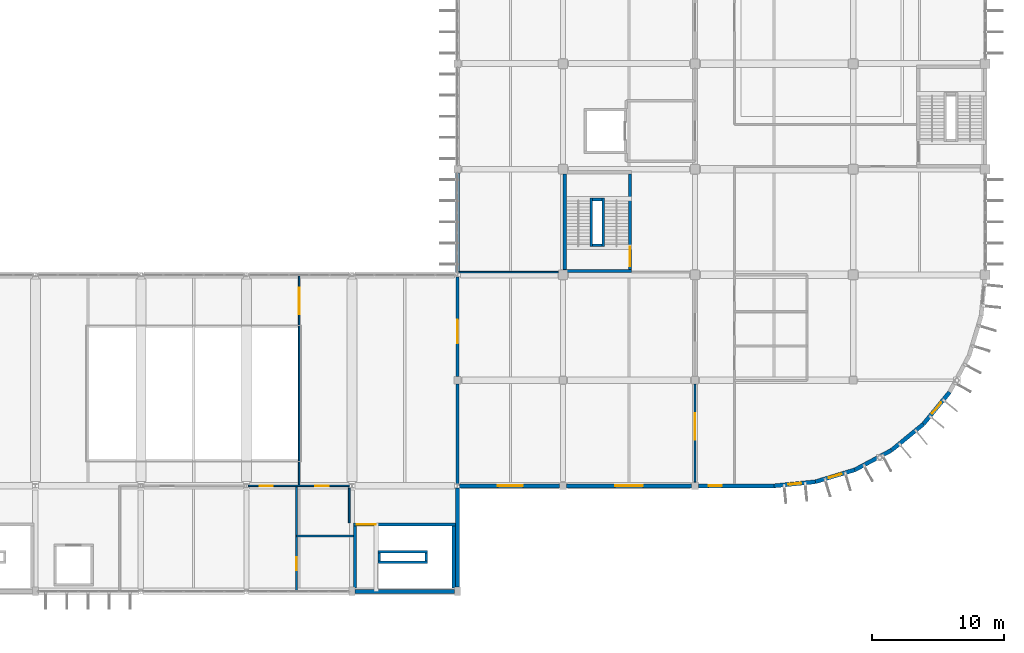
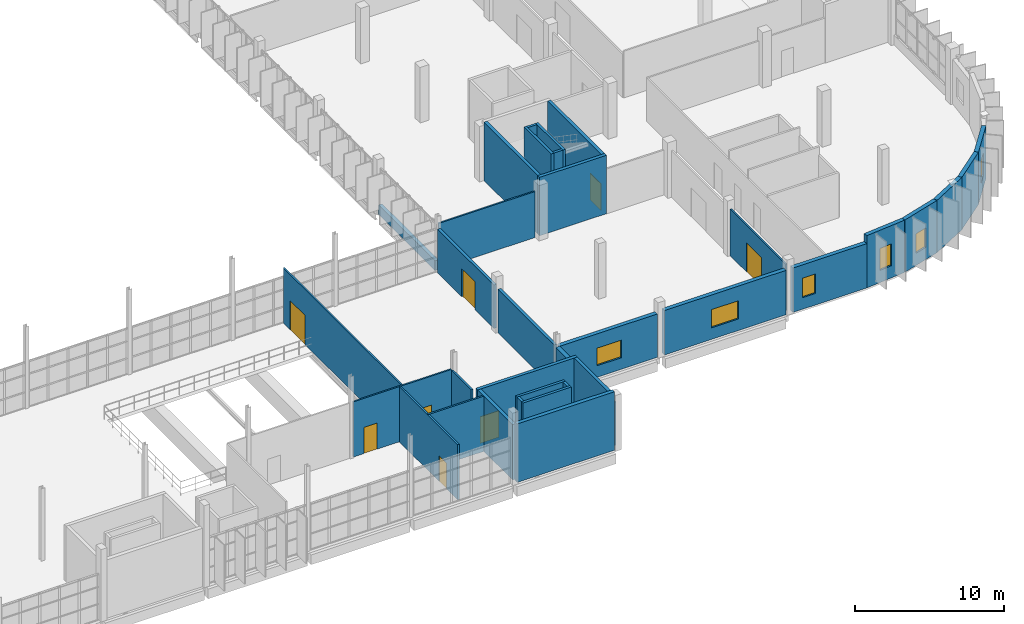
# One storey, part 73 of 93: 34 walls, 8 doors, 6 windows, 14 openings.
"""IFC4 building model written with IfcOpenShell, lengths in metres."""

from ifc_helpers import new_model, si_unit, direction, frame, frame_2d, origin, place, context, subcontext, project, spatial, rectangle, extrude, material, layer, layer_set, type_object, element, fill, save


model = new_model("IFC4")

# Units and contexts
model_context = context("Model", 3, precision=1e-05, world=origin(), true_north=direction((0.0, 1.0)))
body_context = subcontext(model_context, "Body", "Model", "MODEL_VIEW")
ifc_project = project(units=[si_unit("LENGTHUNIT", "METRE"), si_unit("AREAUNIT", "SQUARE_METRE"), si_unit("VOLUMEUNIT", "CUBIC_METRE"), si_unit("PLANEANGLEUNIT", "RADIAN"), si_unit("MASSUNIT", "GRAM", prefix="KILO")], contexts=[model_context])

# Site, building, storey
site_placement = place(None, origin())
site = spatial("IfcSite", under=ifc_project, at=site_placement, CompositionType="ELEMENT")
building_placement = place(site_placement, origin())
building = spatial("IfcBuilding", under=site, at=building_placement, Name="Drelvana Railside Aquatics Centre", CompositionType="ELEMENT")
storey_placement = place(building_placement, frame((0.0, 0.0, 5.39990234375)))
storey = spatial("IfcBuildingStorey", under=building, at=storey_placement, Name="L01", CompositionType="ELEMENT", Elevation=5.39990234375)

# Wall
ifc_material_1 = material(Name="Autoclaved aerated concrete masonry", Category="masonry")
ifc_layer_1 = layer(ifc_material_1, 0.22509765625, Name="Autoclaved aerated concrete masonry")
ifc_layer_set_1 = layer_set([ifc_layer_1], Name="Autoclaved aerated concrete masonry")
wall_type_1 = type_object("IfcWallType", Name="WL-COMP-225", PredefinedType="STANDARD", material=ifc_layer_set_1)
wall_1_placement = place(storey_placement, frame((144.0, 8.152099609375, 0.0), z_axis=(0.0, 0.0, 1.0), x_axis=(0.0, 1.0, 0.0)))
element("IfcWall", 1, at=wall_1_placement, inside=storey, type_object=wall_type_1, Name="L01 Foyer-Wing compartment wall", PredefinedType="STANDARD", context=body_context, shape_type="SweptSolid", body=[
    extrude(rectangle(XDim=7.57080078125, YDim=0.22509765625, at=frame_2d((3.785400390625, 0.0))), origin(), (0.0, 0.0, 1.0), 3.570068359375),
])

# Wall, opening, door
wall_2_placement = place(storey_placement, frame((144.0, 16.277099609375, 0.0), z_axis=(0.0, 0.0, 1.0), x_axis=(0.0, 1.0, 0.0)))
wall_2 = element("IfcWall", 2, at=wall_2_placement, inside=storey, type_object=wall_type_1, Name="L01 Foyer-Wing compartment wall", PredefinedType="STANDARD", context=body_context, shape_type="SweptSolid", body=[
    extrude(rectangle(XDim=7.57080078125, YDim=0.22509765625, at=frame_2d((3.785400390625, 0.0))), origin(), (0.0, 0.0, 1.0), 3.570068359375),
])
opening_1_placement = place(wall_2_placement, frame((2.52294921875, 0.0, 0.0)))
opening_1 = element("IfcOpeningElement", 3, at=opening_1_placement, cuts=wall_2, Name="Opening D-05-104", PredefinedType="OPENING", context=body_context, shape_type="SweptSolid", body=[
    extrude(rectangle(XDim=1.800048828125, YDim=2.300048828125, at=frame_2d((0.89990234375, 1.14990234375))), frame((0.0, 0.12255859375, 0.0), z_axis=(0.0, -1.0, 0.0), x_axis=(1.0, 0.0, 0.0)), (0.0, 0.0, 1.0), 0.2451171875),
])
ifc_material_2 = material(Name="Corridor compartment double door", Category="wood")
door_type_1 = type_object("IfcDoorType", Name="DR-INT-COMP-1800x2300", OperationType="DOUBLE_DOOR_SINGLE_SWING", PredefinedType="DOOR", material=ifc_material_2)
door_1_placement = place(opening_1_placement, origin())
door_1 = element("IfcDoor", 4, at=door_1_placement, inside=storey, type_object=door_type_1, Name="L01 Foyer to Wing link door D-05-104", OperationType="DOUBLE_DOOR_SINGLE_SWING", OverallHeight=2.300048828125, OverallWidth=1.800048828125, PredefinedType="DOOR", context=body_context, shape_type="SweptSolid", body=[
    extrude(rectangle(XDim=1.800048828125, YDim=2.300048828125, at=frame_2d((0.89990234375, 1.14990234375))), frame((0.0, 0.02490234375, 0.0), z_axis=(0.0, -1.0, 0.0), x_axis=(1.0, 0.0, 0.0)), (0.0, 0.0, 1.0), 0.050048828125),
])
fill(opening_1, door_1)

# Walls
ifc_material_3 = material(Name="Concrete C40/50", Category="concrete")
ifc_layer_2 = layer(ifc_material_3, 0.25, Name="Concrete C40/50")
ifc_layer_set_2 = layer_set([ifc_layer_2], Name="Concrete C40/50")
wall_type_2 = type_object("IfcWallType", Name="WL-CORE-250", PredefinedType="SHEAR", material=ifc_layer_set_2)
wall_3_placement = place(storey_placement, frame((152.0, 24.284912109375, 0.0), z_axis=(0.0, 0.0, 1.0), x_axis=(1.0, 0.0, 0.0)))
element("IfcWall", 5, at=wall_3_placement, inside=storey, type_object=wall_type_2, Name="Core 6 Federation Wing Court-West S core wall (L01)", PredefinedType="SHEAR", context=body_context, shape_type="SweptSolid", body=[
    extrude(rectangle(XDim=5.199951171875, YDim=0.25, at=frame_2d((2.60009765625, 0.0))), origin(), (0.0, 0.0, 1.0), 4.800048828125),
])
wall_4_placement = place(storey_placement, frame((152.125, 24.409912109375, 0.0), z_axis=(0.0, 0.0, 1.0), x_axis=(0.0, 1.0, 0.0)))
element("IfcWall", 6, at=wall_4_placement, inside=storey, type_object=wall_type_2, Name="Core 6 Federation Wing Court-West W core wall (L01)", PredefinedType="SHEAR", context=body_context, shape_type="SweptSolid", body=[
    extrude(rectangle(XDim=7.239990234375, YDim=0.25, at=frame_2d((3.6201171875, 0.0))), origin(), (0.0, 0.0, 1.0), 4.800048828125),
])

# Wall, opening, door
wall_5_placement = place(storey_placement, frame((157.074951171875, 24.409912109375, 0.0), z_axis=(0.0, 0.0, 1.0), x_axis=(0.0, 1.0, 0.0)))
wall_5 = element("IfcWall", 7, at=wall_5_placement, inside=storey, type_object=wall_type_2, Name="Core 6 Federation Wing Court-West E core wall (L01)", PredefinedType="SHEAR", context=body_context, shape_type="SweptSolid", body=[
    extrude(rectangle(XDim=7.239990234375, YDim=0.25, at=frame_2d((3.6201171875, 0.0))), origin(), (0.0, 0.0, 1.0), 4.800048828125),
])
opening_2_placement = place(wall_5_placement, frame((0.25, 0.0, 0.0)))
opening_2 = element("IfcOpeningElement", 8, at=opening_2_placement, cuts=wall_5, Name="Opening D-01-037", PredefinedType="OPENING", context=body_context, shape_type="SweptSolid", body=[
    extrude(rectangle(XDim=1.449951171875, YDim=2.199951171875, at=frame_2d((0.72509765625, 1.10009765625))), frame((0.0, 0.135009765625, 0.0), z_axis=(0.0, -1.0, 0.0), x_axis=(1.0, 0.0, 0.0)), (0.0, 0.0, 1.0), 0.27001953125),
])
ifc_material_4 = material(Name="Fire-rated steel and vision-panel door", Category="steel")
door_type_2 = type_object("IfcDoorType", Name="DR-INT-STAIR-1450x2200", OperationType="DOUBLE_DOOR_SINGLE_SWING", PredefinedType="DOOR", material=ifc_material_4)
door_2_placement = place(opening_2_placement, origin())
door_2 = element("IfcDoor", 9, at=door_2_placement, inside=storey, type_object=door_type_2, Name="Stair ST-06 lobby door D-01-037", OperationType="DOUBLE_DOOR_SINGLE_SWING", OverallHeight=2.199951171875, OverallWidth=1.449951171875, PredefinedType="DOOR", context=body_context, shape_type="SweptSolid", body=[
    extrude(rectangle(XDim=1.449951171875, YDim=2.199951171875, at=frame_2d((0.72509765625, 1.10009765625))), frame((0.0, 0.02490234375, 0.0), z_axis=(0.0, -1.0, 0.0), x_axis=(1.0, 0.0, 0.0)), (0.0, 0.0, 1.0), 0.050048828125),
])
fill(opening_2, door_2)

wall_6_placement = place(storey_placement, frame((136.10009765625, 5.074951171875, 0.0), z_axis=(0.0, 0.0, 1.0), x_axis=(1.0, 0.0, 0.0)))
wall_6 = element("IfcWall", 10, at=wall_6_placement, inside=storey, type_object=wall_type_2, Name="Core 10 Entrance Foyer East N core wall (L01)", PredefinedType="SHEAR", context=body_context, shape_type="SweptSolid", body=[
    extrude(rectangle(XDim=7.739990234375, YDim=0.25, at=frame_2d((3.8701171875, 0.0))), origin(), (0.0, 0.0, 1.0), 4.550048828125),
])
opening_3_placement = place(wall_6_placement, frame((0.25, 0.0, 0.0)))
opening_3 = element("IfcOpeningElement", 11, at=opening_3_placement, cuts=wall_6, Name="Opening D-01-090", PredefinedType="OPENING", context=body_context, shape_type="SweptSolid", body=[
    extrude(rectangle(XDim=1.449951171875, YDim=2.199951171875, at=frame_2d((0.72509765625, 1.10009765625))), frame((0.0, 0.135009765625, 0.0), z_axis=(0.0, -1.0, 0.0), x_axis=(1.0, 0.0, 0.0)), (0.0, 0.0, 1.0), 0.27001953125),
])
door_3_placement = place(opening_3_placement, origin())
door_3 = element("IfcDoor", 12, at=door_3_placement, inside=storey, type_object=door_type_2, Name="Stair ST-10 lobby door D-01-090", OperationType="DOUBLE_DOOR_SINGLE_SWING", OverallHeight=2.199951171875, OverallWidth=1.449951171875, PredefinedType="DOOR", context=body_context, shape_type="SweptSolid", body=[
    extrude(rectangle(XDim=1.449951171875, YDim=2.199951171875, at=frame_2d((0.72509765625, 1.10009765625))), frame((0.0, 0.02490234375, 0.0), z_axis=(0.0, -1.0, 0.0), x_axis=(1.0, 0.0, 0.0)), (0.0, 0.0, 1.0), 0.050048828125),
])
fill(opening_3, door_3)

# Walls
for number, where, z_axis, x_axis, name in (
    (13, (136.22509765625, 0.25, 0.0), (0.0, 0.0, 1.0), (0.0, 1.0, 0.0), "Core 10 Entrance Foyer East W core wall (L01)"),
    (14, (143.715087890625, 0.25, 0.0), (0.0, 0.0, 1.0), (0.0, 1.0, 0.0), "Core 10 Entrance Foyer East E core wall (L01)"),
):
    element("IfcWall", number, at=place(storey_placement, frame(where, z_axis=z_axis, x_axis=x_axis)), inside=storey, type_object=wall_type_2, Name=name, PredefinedType="SHEAR", context=body_context, shape_type="SweptSolid", body=[
        extrude(rectangle(XDim=4.699951171875, YDim=0.25, at=frame_2d((2.35009765625, 0.0))), origin(), (0.0, 0.0, 1.0), 4.550048828125),
    ])
ifc_layer_3 = layer(ifc_material_3, 0.300048828125, Name="Concrete C40/50")
ifc_layer_set_3 = layer_set([ifc_layer_3], Name="Concrete C40/50")
wall_type_3 = type_object("IfcWallType", Name="WL-CORE-300", PredefinedType="SHEAR", material=ifc_layer_set_3)
wall_7_placement = place(storey_placement, frame((136.220947265625, 0.0, 0.0), z_axis=(0.0, 0.0, 1.0), x_axis=(1.0, 0.0, 0.0)))
element("IfcWall", 15, at=wall_7_placement, inside=storey, type_object=wall_type_3, Name="Core south L01 shear wall 136", PredefinedType="SHEAR", context=body_context, shape_type="SweptSolid", body=[
    extrude(rectangle(XDim=7.55810546875, YDim=0.300048828125, at=frame_2d((3.779052734375, 0.0))), origin(), (0.0, 0.0, 1.0), 4.800048828125),
])

# Wall, opening, door
ifc_material_5 = material(Name="Acoustic twin-stud gypsum partition", Category="gypsum")
ifc_layer_4 = layer(ifc_material_5, 0.1201171875, Name="Acoustic twin-stud gypsum partition")
ifc_layer_set_4 = layer_set([ifc_layer_4], Name="Acoustic twin-stud gypsum partition")
wall_type_4 = type_object("IfcWallType", Name="WL-DRY-120", PredefinedType="PARTITIONING", material=ifc_layer_set_4)
wall_8_placement = place(storey_placement, frame((132.0, 8.0, 0.0), z_axis=(0.0, 0.0, 1.0), x_axis=(0.0, 1.0, 0.0)))
wall_8 = element("IfcWall", 16, at=wall_8_placement, inside=storey, type_object=wall_type_4, Name="Event VIP Lounge west wall", PredefinedType="PARTITIONING", context=body_context, shape_type="SweptSolid", body=[
    extrude(rectangle(XDim=15.919921875, YDim=0.1201171875, at=frame_2d((7.9599609375, 0.0))), origin(), (0.0, 0.0, 1.0), 4.53515625),
])
opening_4_placement = place(wall_8_placement, frame((13.0, 0.0, 0.0)))
opening_4 = element("IfcOpeningElement", 17, at=opening_4_placement, cuts=wall_8, Name="Opening D-06-147", PredefinedType="OPENING", context=body_context, shape_type="SweptSolid", body=[
    extrude(rectangle(XDim=2.0, YDim=2.39990234375, at=frame_2d((1.0, 1.199951171875))), frame((0.0, 0.070068359375, 0.0), z_axis=(0.0, -1.0, 0.0), x_axis=(1.0, 0.0, 0.0)), (0.0, 0.0, 1.0), 0.14013671875),
])
ifc_material_6 = material(Name="Glazed bronze-aluminium concourse door", Category="aluminium")
door_type_3 = type_object("IfcDoorType", Name="DR-INT-HALL-2000x2400", OperationType="DOUBLE_DOOR_SINGLE_SWING", PredefinedType="DOOR", material=ifc_material_6)
door_4_placement = place(opening_4_placement, origin())
door_4 = element("IfcDoor", 18, at=door_4_placement, inside=storey, type_object=door_type_3, Name="Event VIP Lounge door D-06-147", OperationType="DOUBLE_DOOR_SINGLE_SWING", OverallHeight=2.39990234375, OverallWidth=2.0, PredefinedType="DOOR", context=body_context, shape_type="SweptSolid", body=[
    extrude(rectangle(XDim=2.0, YDim=2.39990234375, at=frame_2d((1.0, 1.199951171875))), frame((0.0, 0.02490234375, 0.0), z_axis=(0.0, -1.0, 0.0), x_axis=(1.0, 0.0, 0.0)), (0.0, 0.0, 1.0), 0.050048828125),
])
fill(opening_4, door_4)

# Wall, openings, doors
wall_9_placement = place(storey_placement, frame((128.152099609375, 8.0, 0.0), z_axis=(0.0, 0.0, 1.0), x_axis=(1.0, 0.0, 0.0)))
wall_9 = element("IfcWall", 19, at=wall_9_placement, inside=storey, type_object=wall_type_4, Name="L01 Gallery south partition", PredefinedType="PARTITIONING", context=body_context, shape_type="SweptSolid", body=[
    extrude(rectangle(XDim=7.64794921875, YDim=0.1201171875, at=frame_2d((3.823974609375, 0.0))), origin(), (0.0, 0.0, 1.0), 4.53515625),
])
opening_5_placement = place(wall_9_placement, frame((0.847900390625, 0.0, 0.0)))
opening_5 = element("IfcOpeningElement", 20, at=opening_5_placement, cuts=wall_9, Name="Opening D-09-149", PredefinedType="OPENING", context=body_context, shape_type="SweptSolid", body=[
    extrude(rectangle(XDim=1.0, YDim=2.14990234375, at=frame_2d((0.5, 1.074951171875))), frame((0.0, 0.070068359375, 0.0), z_axis=(0.0, -1.0, 0.0), x_axis=(1.0, 0.0, 0.0)), (0.0, 0.0, 1.0), 0.14013671875),
])
opening_6_placement = place(wall_9_placement, frame((5.048095703125, 0.0, 0.0)))
opening_6 = element("IfcOpeningElement", 21, at=opening_6_placement, cuts=wall_9, Name="Opening D-12-150", PredefinedType="OPENING", context=body_context, shape_type="SweptSolid", body=[
    extrude(rectangle(XDim=1.050048828125, YDim=2.14990234375, at=frame_2d((0.52490234375, 1.074951171875))), frame((0.0, 0.070068359375, 0.0), z_axis=(0.0, -1.0, 0.0), x_axis=(1.0, 0.0, 0.0)), (0.0, 0.0, 1.0), 0.14013671875),
])
ifc_material_7 = material(Name="Accessible toilet outward-opening door", Category="wood")
door_type_4 = type_object("IfcDoorType", Name="DR-INT-AWC-1050x2150", OperationType="NOTDEFINED", PredefinedType="DOOR", material=ifc_material_7)
door_5_placement = place(opening_6_placement, origin())
door_5 = element("IfcDoor", 22, at=door_5_placement, inside=storey, type_object=door_type_4, Name="Gallery Accessible WC door D-12-150", OperationType="SINGLE_SWING_LEFT", OverallHeight=2.14990234375, OverallWidth=1.050048828125, PredefinedType="DOOR", context=body_context, shape_type="SweptSolid", body=[
    extrude(rectangle(XDim=1.050048828125, YDim=2.14990234375, at=frame_2d((0.52490234375, 1.074951171875))), frame((0.0, 0.02490234375, 0.0), z_axis=(0.0, -1.0, 0.0), x_axis=(1.0, 0.0, 0.0)), (0.0, 0.0, 1.0), 0.050048828125),
])
fill(opening_6, door_5)
ifc_material_8 = material(Name="Hardwood acoustic room door", Category="wood")
door_type_5 = type_object("IfcDoorType", Name="DR-INT-ROOM-1000x2150", OperationType="NOTDEFINED", PredefinedType="DOOR", material=ifc_material_8)
door_6_placement = place(opening_5_placement, origin())
door_6 = element("IfcDoor", 23, at=door_6_placement, inside=storey, type_object=door_type_5, Name="Press Briefing Room east door D-09-149", OperationType="SINGLE_SWING_RIGHT", OverallHeight=2.14990234375, OverallWidth=1.0, PredefinedType="DOOR", context=body_context, shape_type="SweptSolid", body=[
    extrude(rectangle(XDim=1.0, YDim=2.14990234375, at=frame_2d((0.5, 1.074951171875))), frame((0.0, 0.02490234375, 0.0), z_axis=(0.0, -1.0, 0.0), x_axis=(1.0, 0.0, 0.0)), (0.0, 0.0, 1.0), 0.050048828125),
])
fill(opening_5, door_6)

# Wall, opening, door
wall_10_placement = place(storey_placement, frame((162.0, 8.277099609375, 0.0), z_axis=(0.0, 0.0, 1.0), x_axis=(0.0, 1.0, 0.0)))
wall_10 = element("IfcWall", 24, at=wall_10_placement, inside=storey, type_object=wall_type_4, Name="V5 L01 west corridor wall", PredefinedType="PARTITIONING", context=body_context, shape_type="SweptSolid", body=[
    extrude(rectangle(XDim=7.44580078125, YDim=0.1201171875, at=frame_2d((3.722900390625, 0.0))), origin(), (0.0, 0.0, 1.0), 3.830078125),
])
opening_7_placement = place(wall_10_placement, frame((3.222900390625, 0.0, 0.0)))
opening_7 = element("IfcOpeningElement", 25, at=opening_7_placement, cuts=wall_10, Name="Opening D-06-210", PredefinedType="OPENING", context=body_context, shape_type="SweptSolid", body=[
    extrude(rectangle(XDim=2.0, YDim=2.39990234375, at=frame_2d((1.0, 1.199951171875))), frame((0.0, 0.070068359375, 0.0), z_axis=(0.0, -1.0, 0.0), x_axis=(1.0, 0.0, 0.0)), (0.0, 0.0, 1.0), 0.14013671875),
])
door_7_placement = place(opening_7_placement, origin())
door_7 = element("IfcDoor", 26, at=door_7_placement, inside=storey, type_object=door_type_3, Name="Cardio hall south door D-06-210", OperationType="DOUBLE_DOOR_SINGLE_SWING", OverallHeight=2.39990234375, OverallWidth=2.0, PredefinedType="DOOR", context=body_context, shape_type="SweptSolid", body=[
    extrude(rectangle(XDim=2.0, YDim=2.39990234375, at=frame_2d((1.0, 1.199951171875))), frame((0.0, 0.02490234375, 0.0), z_axis=(0.0, -1.0, 0.0), x_axis=(1.0, 0.0, 0.0)), (0.0, 0.0, 1.0), 0.050048828125),
])
fill(opening_7, door_7)

# Walls
wall_11_placement = place(storey_placement, frame((144.14990234375, 24.199951171875, 0.0), z_axis=(0.0, 0.0, 1.0), x_axis=(1.0, 0.0, 0.0)))
element("IfcWall", 27, at=wall_11_placement, inside=storey, type_object=wall_type_4, Name="V5 L01 C6 alcove SW wall", PredefinedType="PARTITIONING", context=body_context, shape_type="SweptSolid", body=[
    extrude(rectangle(XDim=7.498046875, YDim=0.1201171875, at=frame_2d((3.7490234375, 0.0))), origin(), (0.0, 0.0, 1.0), 3.780029296875),
])
ifc_material_9 = material(Name="Glazed ceramic spandrel wall", Category="masonry")
ifc_layer_5 = layer(ifc_material_9, 0.27001953125, Name="Glazed ceramic spandrel wall")
ifc_layer_set_5 = layer_set([ifc_layer_5], Name="Glazed ceramic spandrel wall")
wall_type_5 = type_object("IfcWallType", Name="WL-EXT-270", PredefinedType="STANDARD", material=ifc_layer_set_5)
wall_12_placement = place(storey_placement, frame((144.0, 24.14599609375, 0.0), z_axis=(0.0, 0.0, 1.0), x_axis=(0.0, 1.0, 0.0)))
element("IfcWall", 28, at=wall_12_placement, inside=storey, type_object=wall_type_5, Name="V5 West L01 sill spandrel", PredefinedType="STANDARD", context=body_context, shape_type="SweptSolid", body=[
    extrude(rectangle(XDim=7.5830078125, YDim=0.27001953125, at=frame_2d((3.79150390625, 0.0))), origin(), (0.0, 0.0, 1.0), 0.800048828125),
])
ifc_material_10 = material(Name="Terracotta rainscreen masonry wall", Category="masonry")
ifc_layer_6 = layer(ifc_material_10, 0.31005859375, Name="Terracotta rainscreen masonry wall")
ifc_layer_set_6 = layer_set([ifc_layer_6], Name="Terracotta rainscreen masonry wall")
wall_type_6 = type_object("IfcWallType", Name="WL-EXT-310", PredefinedType="STANDARD", material=ifc_layer_set_6)
wall_13_placement = place(storey_placement, frame((144.0, 0.321044921875, 0.0), z_axis=(0.0, 0.0, 1.0), x_axis=(0.0, 1.0, 0.0)))
element("IfcWall", 29, at=wall_13_placement, inside=storey, type_object=wall_type_6, Name="Foyer side gable wall", PredefinedType="STANDARD", context=body_context, shape_type="SweptSolid", body=[
    extrude(rectangle(XDim=7.532958984375, YDim=0.31005859375, at=frame_2d((3.7666015625, 0.0))), origin(), (0.0, 0.0, 1.0), 3.570068359375),
])

# Wall, opening, window
wall_14_placement = place(storey_placement, frame((168.0, 8.0, 0.0), z_axis=(0.0, 0.0, 1.0), x_axis=(0.995186340733, 0.098000751113, 0.0)))
wall_14 = element("IfcWall", 30, at=wall_14_placement, inside=storey, type_object=wall_type_6, Name="V5SE curved wall 1", PredefinedType="STANDARD", context=body_context, shape_type="SweptSolid", body=[
    extrude(rectangle(XDim=3.136474609375, YDim=0.31005859375, at=frame_2d((1.568359375, 0.0))), origin(), (0.0, 0.0, 1.0), 4.300048828125),
])
opening_8_placement = place(wall_14_placement, frame((1.09326171875, 0.0, 1.0)))
opening_8 = element("IfcOpeningElement", 31, at=opening_8_placement, cuts=wall_14, Name="Opening W-03", PredefinedType="OPENING", context=body_context, shape_type="SweptSolid", body=[
    extrude(rectangle(XDim=0.949951171875, YDim=1.800048828125, at=frame_2d((0.47509765625, 0.89990234375))), frame((0.0, 0.1650390625, 0.0), z_axis=(0.0, -1.0, 0.0), x_axis=(1.0, 0.0, 0.0)), (0.0, 0.0, 1.0), 0.330078125),
])
ifc_material_11 = material(Name="Double-glazed solar-control aluminium window", Category="aluminium")
window_type_1 = type_object("IfcWindowType", Name="WIN-03", PartitioningType="SINGLE_PANEL", PredefinedType="WINDOW", material=ifc_material_11)
window_1_placement = place(opening_8_placement, origin())
window_1 = element("IfcWindow", 32, at=window_1_placement, inside=storey, type_object=window_type_1, Name="V5SE curved window WIN-03", OverallHeight=1.800048828125, OverallWidth=0.949951171875, PartitioningType="SINGLE_PANEL", PredefinedType="WINDOW", context=body_context, shape_type="SweptSolid", body=[
    extrude(rectangle(XDim=0.949951171875, YDim=1.800048828125, at=frame_2d((0.47509765625, 0.89990234375))), frame((0.0, 0.030029296875, 0.0), z_axis=(0.0, -1.0, 0.0), x_axis=(1.0, 0.0, 0.0)), (0.0, 0.0, 1.0), 0.06005859375),
])
fill(opening_8, window_1)

wall_15_placement = place(storey_placement, frame((171.121337890625, 8.307373046875, 0.0), z_axis=(0.0, 0.0, 1.0), x_axis=(0.956932713703, 0.29030980253, 0.0)))
wall_15 = element("IfcWall", 33, at=wall_15_placement, inside=storey, type_object=wall_type_6, Name="V5SE curved wall 2", PredefinedType="STANDARD", context=body_context, shape_type="SweptSolid", body=[
    extrude(rectangle(XDim=3.13671875, YDim=0.31005859375, at=frame_2d((1.568359375, 0.0))), origin(), (0.0, 0.0, 1.0), 4.300048828125),
])
opening_9_placement = place(wall_15_placement, frame((1.068359375, 0.0, 1.0)))
opening_9 = element("IfcOpeningElement", 34, at=opening_9_placement, cuts=wall_15, Name="Opening W-04", PredefinedType="OPENING", context=body_context, shape_type="SweptSolid", body=[
    extrude(rectangle(XDim=1.0, YDim=1.60009765625, at=frame_2d((0.5, 0.800048828125))), frame((0.0, 0.1650390625, 0.0), z_axis=(0.0, -1.0, 0.0), x_axis=(1.0, 0.0, 0.0)), (0.0, 0.0, 1.0), 0.330078125),
])
window_type_2 = type_object("IfcWindowType", Name="WIN-04", PartitioningType="SINGLE_PANEL", PredefinedType="WINDOW", material=ifc_material_11)
window_2_placement = place(opening_9_placement, origin())
window_2 = element("IfcWindow", 35, at=window_2_placement, inside=storey, type_object=window_type_2, Name="V5SE curved window WIN-04", OverallHeight=1.60009765625, OverallWidth=1.0, PartitioningType="SINGLE_PANEL", PredefinedType="WINDOW", context=body_context, shape_type="SweptSolid", body=[
    extrude(rectangle(XDim=1.0, YDim=1.60009765625, at=frame_2d((0.5, 0.800048828125))), frame((0.0, 0.030029296875, 0.0), z_axis=(0.0, -1.0, 0.0), x_axis=(1.0, 0.0, 0.0)), (0.0, 0.0, 1.0), 0.06005859375),
])
fill(opening_9, window_2)

# Walls
for number, where, z_axis, x_axis, name in (
    (36, (174.123046875, 9.218017578125, 0.0), (0.0, 0.0, 1.0), (0.881921625826, 0.471396060548, 0.0), "V5SE curved wall 3"),
    (37, (176.88916015625, 10.696533203125, 0.0), (0.0, 0.0, 1.0), (0.773016601683, 0.634385792339, 0.0), "V5SE curved wall 4"),
):
    element("IfcWall", number, at=place(storey_placement, frame(where, z_axis=z_axis, x_axis=x_axis)), inside=storey, type_object=wall_type_6, Name=name, PredefinedType="STANDARD", context=body_context, shape_type="SweptSolid", body=[
        extrude(rectangle(XDim=3.136474609375, YDim=0.31005859375, at=frame_2d((1.568359375, 0.0))), origin(), (0.0, 0.0, 1.0), 4.300048828125),
    ])

# Wall, opening, window
wall_16_placement = place(storey_placement, frame((179.313720703125, 12.686279296875, 0.0), z_axis=(0.0, 0.0, 1.0), x_axis=(0.634385792339, 0.773016601683, 0.0)))
wall_16 = element("IfcWall", 38, at=wall_16_placement, inside=storey, type_object=wall_type_6, Name="V5SE curved wall 5", PredefinedType="STANDARD", context=body_context, shape_type="SweptSolid", body=[
    extrude(rectangle(XDim=3.136474609375, YDim=0.31005859375, at=frame_2d((1.568359375, 0.0))), origin(), (0.0, 0.0, 1.0), 4.300048828125),
])
opening_10_placement = place(wall_16_placement, frame((1.018310546875, 0.0, 1.0)))
opening_10 = element("IfcOpeningElement", 39, at=opening_10_placement, cuts=wall_16, Name="Opening W-07", PredefinedType="OPENING", context=body_context, shape_type="SweptSolid", body=[
    extrude(rectangle(XDim=1.10009765625, YDim=1.85009765625, at=frame_2d((0.550048828125, 0.925048828125))), frame((0.0, 0.1650390625, 0.0), z_axis=(0.0, -1.0, 0.0), x_axis=(1.0, 0.0, 0.0)), (0.0, 0.0, 1.0), 0.330078125),
])
window_type_3 = type_object("IfcWindowType", Name="WIN-07", PartitioningType="SINGLE_PANEL", PredefinedType="WINDOW", material=ifc_material_11)
window_3_placement = place(opening_10_placement, origin())
window_3 = element("IfcWindow", 40, at=window_3_placement, inside=storey, type_object=window_type_3, Name="V5SE curved window WIN-07", OverallHeight=1.85009765625, OverallWidth=1.10009765625, PartitioningType="SINGLE_PANEL", PredefinedType="WINDOW", context=body_context, shape_type="SweptSolid", body=[
    extrude(rectangle(XDim=1.10009765625, YDim=1.85009765625, at=frame_2d((0.550048828125, 0.925048828125))), frame((0.0, 0.030029296875, 0.0), z_axis=(0.0, -1.0, 0.0), x_axis=(1.0, 0.0, 0.0)), (0.0, 0.0, 1.0), 0.06005859375),
])
fill(opening_10, window_3)

wall_17_placement = place(storey_placement, frame((144.14599609375, 8.0, 0.0), z_axis=(0.0, 0.0, 1.0), x_axis=(1.0, 0.0, 0.0)))
wall_17 = element("IfcWall", 41, at=wall_17_placement, inside=storey, type_object=wall_type_6, Name="V5 L01 end bay wall", PredefinedType="STANDARD", context=body_context, shape_type="SweptSolid", body=[
    extrude(rectangle(XDim=7.5830078125, YDim=0.31005859375, at=frame_2d((3.79150390625, 0.0))), origin(), (0.0, 0.0, 1.0), 3.570068359375),
])
opening_11_placement = place(wall_17_placement, frame((2.904052734375, 0.0, 0.949951171875)))
opening_11 = element("IfcOpeningElement", 42, at=opening_11_placement, cuts=wall_17, Name="Opening W-23", PredefinedType="OPENING", context=body_context, shape_type="SweptSolid", body=[
    extrude(rectangle(XDim=1.89990234375, YDim=1.449951171875, at=frame_2d((0.949951171875, 0.72509765625))), frame((0.0, 0.1650390625, 0.0), z_axis=(0.0, -1.0, 0.0), x_axis=(1.0, 0.0, 0.0)), (0.0, 0.0, 1.0), 0.330078125),
])
window_type_4 = type_object("IfcWindowType", Name="WIN-23", PartitioningType="SINGLE_PANEL", PredefinedType="WINDOW", material=ifc_material_11)
window_4_placement = place(opening_11_placement, origin())
window_4 = element("IfcWindow", 43, at=window_4_placement, inside=storey, type_object=window_type_4, Name="V5 L01 end window WIN-23", OverallHeight=1.449951171875, OverallWidth=1.89990234375, PartitioningType="SINGLE_PANEL", PredefinedType="WINDOW", context=body_context, shape_type="SweptSolid", body=[
    extrude(rectangle(XDim=1.89990234375, YDim=1.449951171875, at=frame_2d((0.949951171875, 0.72509765625))), frame((0.0, 0.030029296875, 0.0), z_axis=(0.0, -1.0, 0.0), x_axis=(1.0, 0.0, 0.0)), (0.0, 0.0, 1.0), 0.06005859375),
])
fill(opening_11, window_4)

wall_18_placement = place(storey_placement, frame((152.27099609375, 8.0, 0.0), z_axis=(0.0, 0.0, 1.0), x_axis=(1.0, 0.0, 0.0)))
wall_18 = element("IfcWall", 44, at=wall_18_placement, inside=storey, type_object=wall_type_6, Name="V5 L01 end bay wall", PredefinedType="STANDARD", context=body_context, shape_type="SweptSolid", body=[
    extrude(rectangle(XDim=9.4580078125, YDim=0.31005859375, at=frame_2d((4.72900390625, 0.0))), origin(), (0.0, 0.0, 1.0), 3.650146484375),
])
opening_12_placement = place(wall_18_placement, frame((3.678955078125, 0.0, 0.949951171875)))
opening_12 = element("IfcOpeningElement", 45, at=opening_12_placement, cuts=wall_18, Name="Opening W-25", PredefinedType="OPENING", context=body_context, shape_type="SweptSolid", body=[
    extrude(rectangle(XDim=2.10009765625, YDim=1.5, at=frame_2d((1.050048828125, 0.75))), frame((0.0, 0.1650390625, 0.0), z_axis=(0.0, -1.0, 0.0), x_axis=(1.0, 0.0, 0.0)), (0.0, 0.0, 1.0), 0.330078125),
])
window_type_5 = type_object("IfcWindowType", Name="WIN-25", PartitioningType="SINGLE_PANEL", PredefinedType="WINDOW", material=ifc_material_11)
window_5_placement = place(opening_12_placement, origin())
window_5 = element("IfcWindow", 46, at=window_5_placement, inside=storey, type_object=window_type_5, Name="V5 L01 end window WIN-25", OverallHeight=1.5, OverallWidth=2.10009765625, PartitioningType="SINGLE_PANEL", PredefinedType="WINDOW", context=body_context, shape_type="SweptSolid", body=[
    extrude(rectangle(XDim=2.10009765625, YDim=1.5, at=frame_2d((1.050048828125, 0.75))), frame((0.0, 0.030029296875, 0.0), z_axis=(0.0, -1.0, 0.0), x_axis=(1.0, 0.0, 0.0)), (0.0, 0.0, 1.0), 0.06005859375),
])
fill(opening_12, window_5)

wall_19_placement = place(storey_placement, frame((162.27099609375, 8.0, 0.0), z_axis=(0.0, 0.0, 1.0), x_axis=(1.0, 0.0, 0.0)))
wall_19 = element("IfcWall", 47, at=wall_19_placement, inside=storey, type_object=wall_type_6, Name="V5 L01 end bay wall", PredefinedType="STANDARD", context=body_context, shape_type="SweptSolid", body=[
    extrude(rectangle(XDim=5.7490234375, YDim=0.31005859375, at=frame_2d((2.87451171875, 0.0))), origin(), (0.0, 0.0, 1.0), 3.650146484375),
])
opening_13_placement = place(wall_19_placement, frame((0.759033203125, 0.0, 0.949951171875)))
opening_13 = element("IfcOpeningElement", 48, at=opening_13_placement, cuts=wall_19, Name="Opening W-04", PredefinedType="OPENING", context=body_context, shape_type="SweptSolid", body=[
    extrude(rectangle(XDim=1.0, YDim=1.60009765625, at=frame_2d((0.5, 0.800048828125))), frame((0.0, 0.1650390625, 0.0), z_axis=(0.0, -1.0, 0.0), x_axis=(1.0, 0.0, 0.0)), (0.0, 0.0, 1.0), 0.330078125),
])
window_6_placement = place(opening_13_placement, origin())
window_6 = element("IfcWindow", 49, at=window_6_placement, inside=storey, type_object=window_type_2, Name="V5 L01 end window WIN-04", OverallHeight=1.60009765625, OverallWidth=1.0, PartitioningType="SINGLE_PANEL", PredefinedType="WINDOW", context=body_context, shape_type="SweptSolid", body=[
    extrude(rectangle(XDim=1.0, YDim=1.60009765625, at=frame_2d((0.5, 0.800048828125))), frame((0.0, 0.030029296875, 0.0), z_axis=(0.0, -1.0, 0.0), x_axis=(1.0, 0.0, 0.0)), (0.0, 0.0, 1.0), 0.06005859375),
])
fill(opening_13, window_6)

# Walls
ifc_layer_7 = layer(ifc_material_3, 0.199951171875, Name="Concrete C40/50")
ifc_layer_set_7 = layer_set([ifc_layer_7], Name="Concrete C40/50")
wall_type_7 = type_object("IfcWallType", Name="WL-SHFT-200", PredefinedType="SHEAR", material=ifc_layer_set_7)
for number, where, z_axis, x_axis, name in (
    (50, (154.14990234375, 26.14990234375, 0.0), (0.0, 0.0, 1.0), (0.0, 1.0, 0.0), "Stair ST-06 central spine wall A (L01)"),
    (51, (155.050048828125, 26.14990234375, 0.0), (0.0, 0.0, 1.0), (0.0, 1.0, 0.0), "Stair ST-06 central spine wall B (L01)"),
):
    element("IfcWall", number, at=place(storey_placement, frame(where, z_axis=z_axis, x_axis=x_axis)), inside=storey, type_object=wall_type_7, Name=name, PredefinedType="SHEAR", context=body_context, shape_type="SweptSolid", body=[
        extrude(rectangle(XDim=3.66015625, YDim=0.199951171875, at=frame_2d((1.830078125, 0.0))), origin(), (0.0, 0.0, 1.0), 4.800048828125),
    ])
for number, where, z_axis, x_axis, name in (
    (52, (154.25, 26.25, 0.0), (0.0, 0.0, 1.0), (1.0, 0.0, 0.0), "Stair ST-06 central spine wall S (L01)"),
    (53, (154.25, 29.7099609375, 0.0), (0.0, 0.0, 1.0), (1.0, 0.0, 0.0), "Stair ST-06 central spine wall N (L01)"),
):
    element("IfcWall", number, at=place(storey_placement, frame(where, z_axis=z_axis, x_axis=x_axis)), inside=storey, type_object=wall_type_7, Name=name, PredefinedType="SHEAR", context=body_context, shape_type="SweptSolid", body=[
        extrude(rectangle(XDim=0.699951171875, YDim=0.199951171875, at=frame_2d((0.35009765625, 0.0))), origin(), (0.0, 0.0, 1.0), 4.800048828125),
    ])
for number, where, z_axis, x_axis, name in (
    (54, (137.969970703125, 2.199951171875, 0.0), (0.0, 0.0, 1.0), (1.0, 0.0, 0.0), "Stair ST-10 central spine wall A (L01)"),
    (55, (137.969970703125, 3.0, 0.0), (0.0, 0.0, 1.0), (1.0, 0.0, 0.0), "Stair ST-10 central spine wall B (L01)"),
):
    element("IfcWall", number, at=place(storey_placement, frame(where, z_axis=z_axis, x_axis=x_axis)), inside=storey, type_object=wall_type_7, Name=name, PredefinedType="SHEAR", context=body_context, shape_type="SweptSolid", body=[
        extrude(rectangle(XDim=3.760009765625, YDim=0.199951171875, at=frame_2d((1.8798828125, 0.0))), origin(), (0.0, 0.0, 1.0), 4.550048828125),
    ])
for number, where, z_axis, x_axis, name in (
    (56, (138.070068359375, 2.300048828125, 0.0), (0.0, 0.0, 1.0), (0.0, 1.0, 0.0), "Stair ST-10 central spine wall W (L01)"),
    (57, (141.6298828125, 2.300048828125, 0.0), (0.0, 0.0, 1.0), (0.0, 1.0, 0.0), "Stair ST-10 central spine wall E (L01)"),
):
    element("IfcWall", number, at=place(storey_placement, frame(where, z_axis=z_axis, x_axis=x_axis)), inside=storey, type_object=wall_type_7, Name=name, PredefinedType="SHEAR", context=body_context, shape_type="SweptSolid", body=[
        extrude(rectangle(XDim=0.599853515625, YDim=0.199951171875, at=frame_2d((0.2998046875, 0.0))), origin(), (0.0, 0.0, 1.0), 4.550048828125),
    ])

# Wall, opening, door
ifc_material_12 = material(Name="Moisture-resistant tiled plumbing chase wall", Category="masonry")
ifc_layer_8 = layer(ifc_material_12, 0.139892578125, Name="Moisture-resistant tiled plumbing chase wall")
ifc_layer_set_8 = layer_set([ifc_layer_8], Name="Moisture-resistant tiled plumbing chase wall")
wall_type_8 = type_object("IfcWallType", Name="WL-WET-140", PredefinedType="PLUMBINGWALL", material=ifc_layer_set_8)
wall_20_placement = place(storey_placement, frame((131.800048828125, 0.080078125, 0.0), z_axis=(0.0, 0.0, 1.0), x_axis=(0.0, 1.0, 0.0)))
wall_20 = element("IfcWall", 58, at=wall_20_placement, inside=storey, type_object=wall_type_8, Name="L01 Gallery WC-Press divider", PredefinedType="PLUMBINGWALL", context=body_context, shape_type="SweptSolid", body=[
    extrude(rectangle(XDim=7.919921875, YDim=0.139892578125, at=frame_2d((3.9599609375, 0.0))), origin(), (0.0, 0.0, 1.0), 4.53515625),
])
opening_14_placement = place(wall_20_placement, frame((1.52001953125, 0.0, 0.0)))
opening_14 = element("IfcOpeningElement", 59, at=opening_14_placement, cuts=wall_20, Name="Opening D-13-151", PredefinedType="OPENING", context=body_context, shape_type="SweptSolid", body=[
    extrude(rectangle(XDim=0.97998046875, YDim=2.10009765625, at=frame_2d((0.489990234375, 1.050048828125))), frame((0.0, 0.079833984375, 0.0), z_axis=(0.0, -1.0, 0.0), x_axis=(1.0, 0.0, 0.0)), (0.0, 0.0, 1.0), 0.159912109375),
])
ifc_material_13 = material(Name="Equipment store door", Category="wood")
door_type_6 = type_object("IfcDoorType", Name="DR-INT-STR-980x2100", OperationType="NOTDEFINED", PredefinedType="DOOR", material=ifc_material_13)
door_8_placement = place(opening_14_placement, origin())
door_8 = element("IfcDoor", 60, at=door_8_placement, inside=storey, type_object=door_type_6, Name="Media Equipment Store door D-13-151", OperationType="SINGLE_SWING_RIGHT", OverallHeight=2.10009765625, OverallWidth=0.97998046875, PredefinedType="DOOR", context=body_context, shape_type="SweptSolid", body=[
    extrude(rectangle(XDim=0.97998046875, YDim=2.10009765625, at=frame_2d((0.489990234375, 1.050048828125))), frame((0.0, 0.02490234375, 0.0), z_axis=(0.0, -1.0, 0.0), x_axis=(1.0, 0.0, 0.0)), (0.0, 0.0, 1.0), 0.050048828125),
])
fill(opening_14, door_8)

# Walls
wall_21_placement = place(storey_placement, frame((131.800048828125, 4.199951171875, 0.0), z_axis=(0.0, 0.0, 1.0), x_axis=(1.0, 0.0, 0.0)))
element("IfcWall", 61, at=wall_21_placement, inside=storey, type_object=wall_type_8, Name="L01 Gallery WC south wall", PredefinedType="PLUMBINGWALL", context=body_context, shape_type="SweptSolid", body=[
    extrude(rectangle(XDim=4.300048828125, YDim=0.139892578125, at=frame_2d((2.14990234375, 0.0))), origin(), (0.0, 0.0, 1.0), 4.53515625),
])
wall_22_placement = place(storey_placement, frame((135.800048828125, 5.201904296875, 0.0), z_axis=(0.0, 0.0, 1.0), x_axis=(0.0, 1.0, 0.0)))
element("IfcWall", 62, at=wall_22_placement, inside=storey, type_object=wall_type_8, Name="L01 Gallery WC east wall", PredefinedType="PLUMBINGWALL", context=body_context, shape_type="SweptSolid", body=[
    extrude(rectangle(XDim=2.64599609375, YDim=0.139892578125, at=frame_2d((1.322998046875, 0.0))), origin(), (0.0, 0.0, 1.0), 4.53515625),
])

save(model, "model.ifc")
